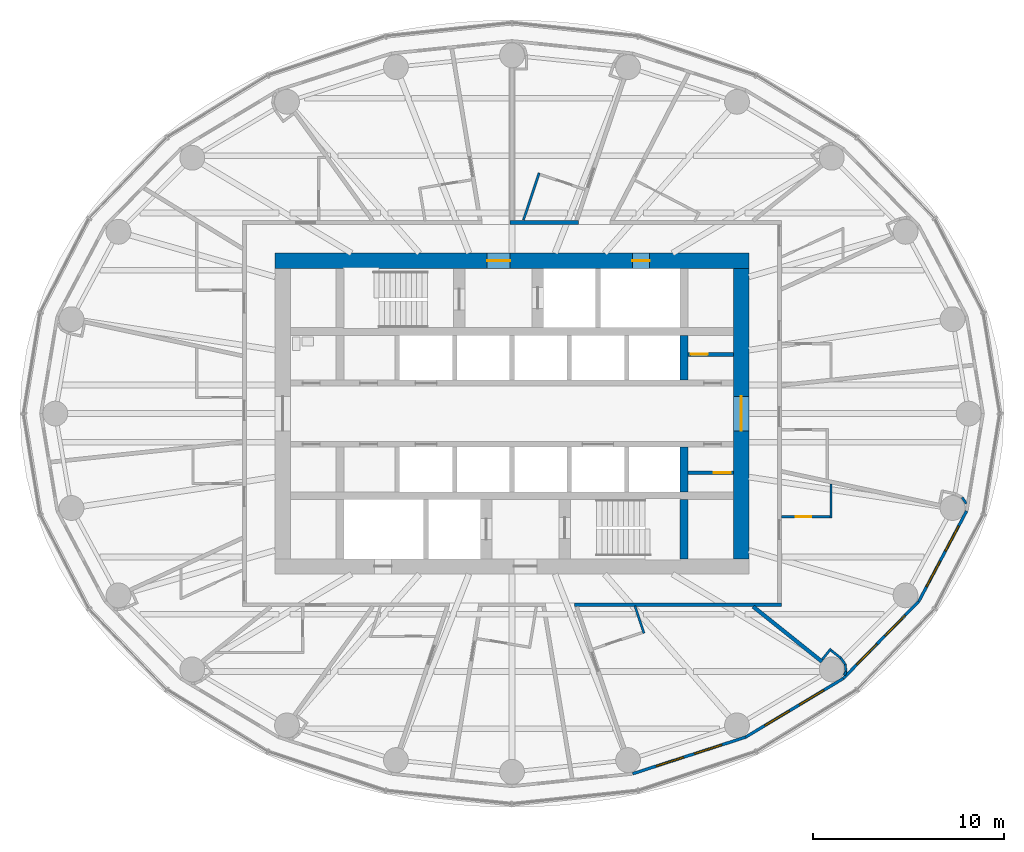
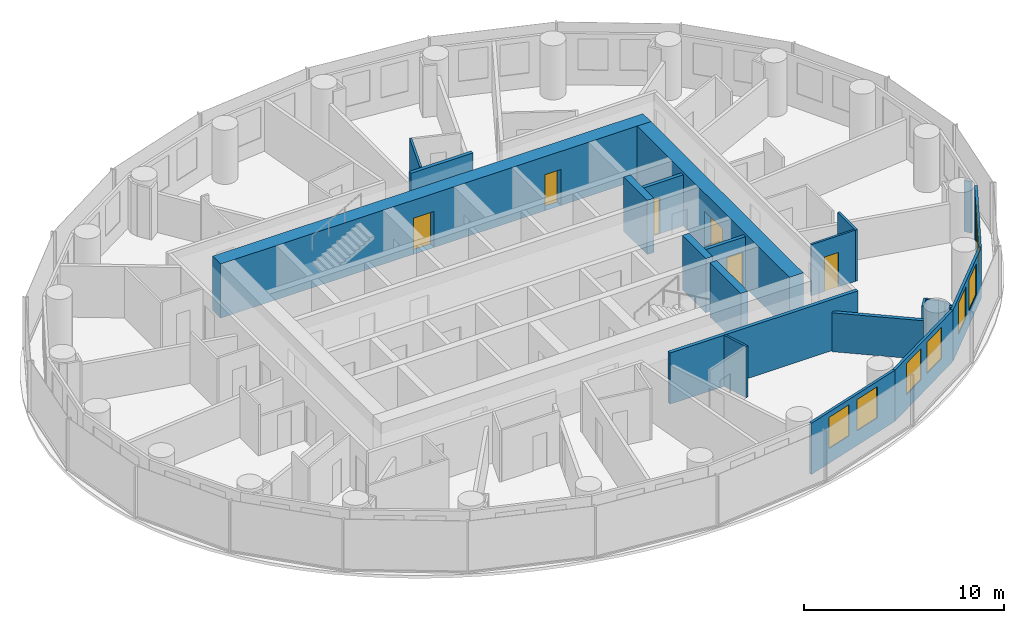
# One storey, part 9 of 14: 24 walls, 8 windows, 6 doors, 14 openings.
"""IFC4 building model written with IfcOpenShell, lengths in metres."""

from ifc_helpers import new_model, si_unit, direction, frame, frame_2d, origin, place, context, subcontext, project, spatial, rectangle, extrude, material, layer, layer_set, type_object, element, fill, save


model = new_model("IFC4")

# Units and contexts
model_context = context("Model", 3, precision=1e-05, world=origin(), true_north=direction((0.0, 1.0)))
body_context = subcontext(model_context, "Body", "Model", "MODEL_VIEW")
ifc_project = project(units=[si_unit("LENGTHUNIT", "METRE"), si_unit("AREAUNIT", "SQUARE_METRE"), si_unit("VOLUMEUNIT", "CUBIC_METRE"), si_unit("PLANEANGLEUNIT", "RADIAN"), si_unit("MASSUNIT", "GRAM", prefix="KILO")], contexts=[model_context])

# Site, building, storey
site_placement = place(None, origin())
site = spatial("IfcSite", under=ifc_project, at=site_placement, CompositionType="ELEMENT")
building_placement = place(site_placement, origin())
building = spatial("IfcBuilding", under=site, at=building_placement, Name="Hankou Lantern Tower", CompositionType="ELEMENT")
storey_placement = place(building_placement, frame((0.0, 0.0, 108.89990234375)))
storey = spatial("IfcBuildingStorey", under=building, at=storey_placement, Name="L27", CompositionType="ELEMENT", Elevation=108.89990234375)

# Wall, openings, doors
ifc_material_1 = material(Name="Concrete C60", Category="concrete")
ifc_layer_1 = layer(ifc_material_1, 0.800048828125)
ifc_layer_set_1 = layer_set([ifc_layer_1], Name="Concrete C60")
wall_type_1 = type_object("IfcWallType", Name="CW2 CORE WALL 800", PredefinedType="SHEAR", material=ifc_layer_set_1)
wall_1_placement = place(storey_placement, frame((-12.39990234375, 8.0, 0.0), z_axis=(0.0, 0.0, 1.0), x_axis=(1.0, 0.0, 0.0)))
wall_1 = element("IfcWall", 1, at=wall_1_placement, inside=storey, type_object=wall_type_1, Name="Core wall north L27", PredefinedType="SHEAR", context=body_context, shape_type="SweptSolid", body=[
    extrude(rectangle(XDim=24.7998046875, YDim=0.800048828125, at=frame_2d((12.39990234375, 0.0))), origin(), (0.0, 0.0, 1.0), 3.300048828125),
])
opening_1_placement = place(wall_1_placement, frame((11.10009765625, 0.0, 0.0)))
opening_1 = element("IfcOpeningElement", 2, at=opening_1_placement, cuts=wall_1, Name="Opening D5", PredefinedType="OPENING", context=body_context, shape_type="SweptSolid", body=[
    extrude(rectangle(XDim=1.199951171875, YDim=2.199951171875, at=frame_2d((0.60009765625, 1.10009765625))), frame((0.0, 0.409912109375, 0.0), z_axis=(0.0, -1.0, 0.0), x_axis=(1.0, 0.0, 0.0)), (0.0, 0.0, 1.0), 0.820068359375),
])
opening_2_placement = place(wall_1_placement, frame((18.699951171875, 0.0, 0.0)))
opening_2 = element("IfcOpeningElement", 3, at=opening_2_placement, cuts=wall_1, Name="Opening D7", PredefinedType="OPENING", context=body_context, shape_type="SweptSolid", body=[
    extrude(rectangle(XDim=0.89990234375, YDim=2.199951171875, at=frame_2d((0.449951171875, 1.10009765625))), frame((0.0, 0.409912109375, 0.0), z_axis=(0.0, -1.0, 0.0), x_axis=(1.0, 0.0, 0.0)), (0.0, 0.0, 1.0), 0.820068359375),
])
ifc_material_2 = material(Name="Steel door leaf", Category="steel")
door_type_1 = type_object("IfcDoorType", Name="D5 STAIR LOBBY DOOR 1200X2200", OperationType="SINGLE_SWING_LEFT", PredefinedType="DOOR", material=ifc_material_2)
door_1_placement = place(opening_1_placement, origin())
door_1 = element("IfcDoor", 4, at=door_1_placement, inside=storey, type_object=door_type_1, Name="Stair A lobby door", OperationType="SINGLE_SWING_LEFT", OverallHeight=2.199951171875, OverallWidth=1.199951171875, PredefinedType="DOOR", context=body_context, shape_type="SweptSolid", body=[
    extrude(rectangle(XDim=1.199951171875, YDim=2.199951171875, at=frame_2d((0.60009765625, 1.10009765625))), frame((0.0, 0.02490234375, 0.0), z_axis=(0.0, -1.0, 0.0), x_axis=(1.0, 0.0, 0.0)), (0.0, 0.0, 1.0), 0.050048828125),
])
fill(opening_1, door_1)
ifc_material_3 = material(Name="Steel door leaf", Category="steel")
door_type_2 = type_object("IfcDoorType", Name="D7 RISER DOOR 900X2200", OperationType="SINGLE_SWING_LEFT", PredefinedType="DOOR", material=ifc_material_3)
door_2_placement = place(opening_2_placement, origin())
door_2 = element("IfcDoor", 5, at=door_2_placement, inside=storey, type_object=door_type_2, Name="Riser N1 door", OperationType="SINGLE_SWING_RIGHT", OverallHeight=2.199951171875, OverallWidth=0.89990234375, PredefinedType="DOOR", context=body_context, shape_type="SweptSolid", body=[
    extrude(rectangle(XDim=0.89990234375, YDim=2.199951171875, at=frame_2d((0.449951171875, 1.10009765625))), frame((0.0, 0.02490234375, 0.0), z_axis=(0.0, -1.0, 0.0), x_axis=(1.0, 0.0, 0.0)), (0.0, 0.0, 1.0), 0.050048828125),
])
fill(opening_2, door_2)

# Wall, opening, door
wall_2_placement = place(storey_placement, frame((12.0, -7.60009765625, 0.0), z_axis=(0.0, 0.0, 1.0), x_axis=(0.0, 1.0, 0.0)))
wall_2 = element("IfcWall", 6, at=wall_2_placement, inside=storey, type_object=wall_type_1, Name="Core wall east L27", PredefinedType="SHEAR", context=body_context, shape_type="SweptSolid", body=[
    extrude(rectangle(XDim=15.2001953125, YDim=0.800048828125, at=frame_2d((7.60009765625, 0.0))), origin(), (0.0, 0.0, 1.0), 3.300048828125),
])
opening_3_placement = place(wall_2_placement, frame((6.699951171875, 0.0, 0.0)))
opening_3 = element("IfcOpeningElement", 7, at=opening_3_placement, cuts=wall_2, Name="Opening D6", PredefinedType="OPENING", context=body_context, shape_type="SweptSolid", body=[
    extrude(rectangle(XDim=1.800048828125, YDim=2.199951171875, at=frame_2d((0.89990234375, 1.10009765625))), frame((0.0, 0.409912109375, 0.0), z_axis=(0.0, -1.0, 0.0), x_axis=(1.0, 0.0, 0.0)), (0.0, 0.0, 1.0), 0.820068359375),
])
ifc_material_4 = material(Name="Steel door leaf", Category="steel")
door_type_3 = type_object("IfcDoorType", Name="D6 LIFT LOBBY DOOR 1800X2200", OperationType="DOUBLE_DOOR_DOUBLE_SWING", PredefinedType="DOOR", material=ifc_material_4)
door_3_placement = place(opening_3_placement, origin())
door_3 = element("IfcDoor", 8, at=door_3_placement, inside=storey, type_object=door_type_3, Name="Lift lobby east door", OperationType="DOUBLE_DOOR_DOUBLE_SWING", OverallHeight=2.199951171875, OverallWidth=1.800048828125, PredefinedType="DOOR", context=body_context, shape_type="SweptSolid", body=[
    extrude(rectangle(XDim=1.800048828125, YDim=2.199951171875, at=frame_2d((0.89990234375, 1.10009765625))), frame((0.0, 0.02490234375, 0.0), z_axis=(0.0, -1.0, 0.0), x_axis=(1.0, 0.0, 0.0)), (0.0, 0.0, 1.0), 0.050048828125),
])
fill(opening_3, door_3)

# Walls
ifc_material_5 = material(Name="Concrete C60", Category="concrete")
ifc_layer_2 = layer(ifc_material_5, 0.39990234375)
ifc_layer_set_2 = layer_set([ifc_layer_2], Name="Concrete C60")
wall_type_2 = type_object("IfcWallType", Name="CW4 CORE CROSS WALL 400", PredefinedType="SHEAR", material=ifc_layer_set_2)
for number, where, z_axis, x_axis, name in (
    (9, (9.0, 1.75, 0.0), (0.0, 0.0, 1.0), (0.0, 1.0, 0.0), "Core strip wall L27"),
    (10, (9.0, -4.10009765625, 0.0), (0.0, 0.0, 1.0), (0.0, 1.0, 0.0), "Core strip wall L27"),
):
    element("IfcWall", number, at=place(storey_placement, frame(where, z_axis=z_axis, x_axis=x_axis)), inside=storey, type_object=wall_type_2, Name=name, PredefinedType="SHEAR", context=body_context, shape_type="SweptSolid", body=[
        extrude(rectangle(XDim=2.35009765625, YDim=0.39990234375, at=frame_2d((1.175048828125, 0.0))), origin(), (0.0, 0.0, 1.0), 3.300048828125),
    ])
wall_3_placement = place(storey_placement, frame((9.0, -7.60009765625, 0.0), z_axis=(0.0, 0.0, 1.0), x_axis=(0.0, 1.0, 0.0)))
element("IfcWall", 11, at=wall_3_placement, inside=storey, type_object=wall_type_2, Name="Core strip wall L27", PredefinedType="SHEAR", context=body_context, shape_type="SweptSolid", body=[
    extrude(rectangle(XDim=3.10009765625, YDim=0.39990234375, at=frame_2d((1.550048828125, 0.0))), origin(), (0.0, 0.0, 1.0), 3.300048828125),
])

# Wall, openings, windows
ifc_material_6 = material(Name="Aluminium spandrel panel on steel studs", Category="steel")
ifc_layer_3 = layer(ifc_material_6, 0.14990234375)
ifc_layer_set_3 = layer_set([ifc_layer_3], Name="Aluminium spandrel panel on steel studs")
wall_type_3 = type_object("IfcWallType", Name="EW1 INNER SKIN WALL 150", PredefinedType="ELEMENTEDWALL", material=ifc_layer_set_3)
wall_4_placement = place(storey_placement, frame((6.3134765625, -18.849609375, 0.0), z_axis=(0.0, 0.0, 1.0), x_axis=(0.951272691506, 0.308350881944, 0.0)))
wall_4 = element("IfcWall", 12, at=wall_4_placement, inside=storey, type_object=wall_type_3, Name="Inner skin R20-R21 L27", PredefinedType="ELEMENTEDWALL", context=body_context, shape_type="SweptSolid", body=[
    extrude(rectangle(XDim=6.210693359375, YDim=0.14990234375, at=frame_2d((3.10546875, 0.0))), origin(), (0.0, 0.0, 1.0), 3.1201171875),
])
opening_4_placement = place(wall_4_placement, frame((1.305419921875, 0.0, 0.89990234375)))
opening_4 = element("IfcOpeningElement", 13, at=opening_4_placement, cuts=wall_4, Name="Opening W2", PredefinedType="OPENING", context=body_context, shape_type="SweptSolid", body=[
    extrude(rectangle(XDim=1.5, YDim=1.89990234375, at=frame_2d((0.75, 0.949951171875))), frame((0.0, 0.0849609375, 0.0), z_axis=(0.0, -1.0, 0.0), x_axis=(1.0, 0.0, 0.0)), (0.0, 0.0, 1.0), 0.169921875),
])
opening_5_placement = place(wall_4_placement, frame((3.4052734375, 0.0, 0.89990234375)))
opening_5 = element("IfcOpeningElement", 14, at=opening_5_placement, cuts=wall_4, Name="Opening W2", PredefinedType="OPENING", context=body_context, shape_type="SweptSolid", body=[
    extrude(rectangle(XDim=1.5, YDim=1.89990234375, at=frame_2d((0.75, 0.949951171875))), frame((0.0, 0.0849609375, 0.0), z_axis=(0.0, -1.0, 0.0), x_axis=(1.0, 0.0, 0.0)), (0.0, 0.0, 1.0), 0.169921875),
])
ifc_material_7 = material(Name="Aluminium framed double glazed window", Category="aluminium")
window_type = type_object("IfcWindowType", Name="W2 GUEST ROOM WINDOW 1500X1900", PartitioningType="DOUBLE_PANEL_VERTICAL", PredefinedType="WINDOW", material=ifc_material_7)
window_1_placement = place(opening_4_placement, origin())
window_1 = element("IfcWindow", 15, at=window_1_placement, inside=storey, type_object=window_type, Name="Window R20.1 L27", OverallHeight=1.89990234375, OverallWidth=1.5, PartitioningType="SINGLE_PANEL", PredefinedType="WINDOW", context=body_context, shape_type="SweptSolid", body=[
    extrude(rectangle(XDim=1.5, YDim=1.89990234375, at=frame_2d((0.75, 0.949951171875))), frame((0.0, 0.030029296875, 0.0), z_axis=(0.0, -1.0, 0.0), x_axis=(1.0, 0.0, 0.0)), (0.0, 0.0, 1.0), 0.06005859375),
])
fill(opening_4, window_1)
window_2_placement = place(opening_5_placement, origin())
window_2 = element("IfcWindow", 16, at=window_2_placement, inside=storey, type_object=window_type, Name="Window R20.2 L27", OverallHeight=1.89990234375, OverallWidth=1.5, PartitioningType="SINGLE_PANEL", PredefinedType="WINDOW", context=body_context, shape_type="SweptSolid", body=[
    extrude(rectangle(XDim=1.5, YDim=1.89990234375, at=frame_2d((0.75, 0.949951171875))), frame((0.0, 0.030029296875, 0.0), z_axis=(0.0, -1.0, 0.0), x_axis=(1.0, 0.0, 0.0)), (0.0, 0.0, 1.0), 0.06005859375),
])
fill(opening_5, window_2)

wall_5_placement = place(storey_placement, frame((12.221435546875, -16.9345703125, 0.0), z_axis=(0.0, 0.0, 1.0), x_axis=(0.857308573723, 0.514802884044, 0.0)))
wall_5 = element("IfcWall", 17, at=wall_5_placement, inside=storey, type_object=wall_type_3, Name="Inner skin R21-R22 L27", PredefinedType="ELEMENTEDWALL", context=body_context, shape_type="SweptSolid", body=[
    extrude(rectangle(XDim=5.961181640625, YDim=0.14990234375, at=frame_2d((2.98046875, 0.0))), origin(), (0.0, 0.0, 1.0), 3.1201171875),
])
opening_6_placement = place(wall_5_placement, frame((1.1806640625, 0.0, 0.89990234375)))
opening_6 = element("IfcOpeningElement", 18, at=opening_6_placement, cuts=wall_5, Name="Opening W2", PredefinedType="OPENING", context=body_context, shape_type="SweptSolid", body=[
    extrude(rectangle(XDim=1.5, YDim=1.89990234375, at=frame_2d((0.75, 0.949951171875))), frame((0.0, 0.0849609375, 0.0), z_axis=(0.0, -1.0, 0.0), x_axis=(1.0, 0.0, 0.0)), (0.0, 0.0, 1.0), 0.169921875),
])
opening_7_placement = place(wall_5_placement, frame((3.280517578125, 0.0, 0.89990234375)))
opening_7 = element("IfcOpeningElement", 19, at=opening_7_placement, cuts=wall_5, Name="Opening W2", PredefinedType="OPENING", context=body_context, shape_type="SweptSolid", body=[
    extrude(rectangle(XDim=1.5, YDim=1.89990234375, at=frame_2d((0.75, 0.949951171875))), frame((0.0, 0.0849609375, 0.0), z_axis=(0.0, -1.0, 0.0), x_axis=(1.0, 0.0, 0.0)), (0.0, 0.0, 1.0), 0.169921875),
])
window_3_placement = place(opening_6_placement, origin())
window_3 = element("IfcWindow", 20, at=window_3_placement, inside=storey, type_object=window_type, Name="Window R21.1 L27", OverallHeight=1.89990234375, OverallWidth=1.5, PartitioningType="SINGLE_PANEL", PredefinedType="WINDOW", context=body_context, shape_type="SweptSolid", body=[
    extrude(rectangle(XDim=1.5, YDim=1.89990234375, at=frame_2d((0.75, 0.949951171875))), frame((0.0, 0.030029296875, 0.0), z_axis=(0.0, -1.0, 0.0), x_axis=(1.0, 0.0, 0.0)), (0.0, 0.0, 1.0), 0.06005859375),
])
fill(opening_6, window_3)
window_4_placement = place(opening_7_placement, origin())
window_4 = element("IfcWindow", 21, at=window_4_placement, inside=storey, type_object=window_type, Name="Window R21.2 L27", OverallHeight=1.89990234375, OverallWidth=1.5, PartitioningType="SINGLE_PANEL", PredefinedType="WINDOW", context=body_context, shape_type="SweptSolid", body=[
    extrude(rectangle(XDim=1.5, YDim=1.89990234375, at=frame_2d((0.75, 0.949951171875))), frame((0.0, 0.030029296875, 0.0), z_axis=(0.0, -1.0, 0.0), x_axis=(1.0, 0.0, 0.0)), (0.0, 0.0, 1.0), 0.06005859375),
])
fill(opening_7, window_4)

wall_6_placement = place(storey_placement, frame((17.33203125, -13.86572265625, 0.0), z_axis=(0.0, 0.0, 1.0), x_axis=(0.700136650834, 0.714008872605, 0.0)))
wall_6 = element("IfcWall", 22, at=wall_6_placement, inside=storey, type_object=wall_type_3, Name="Inner skin R22-R23 L27", PredefinedType="ELEMENTEDWALL", context=body_context, shape_type="SweptSolid", body=[
    extrude(rectangle(XDim=5.6494140625, YDim=0.14990234375, at=frame_2d((2.82470703125, 0.0))), origin(), (0.0, 0.0, 1.0), 3.1201171875),
])
opening_8_placement = place(wall_6_placement, frame((1.024658203125, 0.0, 0.89990234375)))
opening_8 = element("IfcOpeningElement", 23, at=opening_8_placement, cuts=wall_6, Name="Opening W2", PredefinedType="OPENING", context=body_context, shape_type="SweptSolid", body=[
    extrude(rectangle(XDim=1.5, YDim=1.89990234375, at=frame_2d((0.75, 0.949951171875))), frame((0.0, 0.0849609375, 0.0), z_axis=(0.0, -1.0, 0.0), x_axis=(1.0, 0.0, 0.0)), (0.0, 0.0, 1.0), 0.169921875),
])
opening_9_placement = place(wall_6_placement, frame((3.12451171875, 0.0, 0.89990234375)))
opening_9 = element("IfcOpeningElement", 24, at=opening_9_placement, cuts=wall_6, Name="Opening W2", PredefinedType="OPENING", context=body_context, shape_type="SweptSolid", body=[
    extrude(rectangle(XDim=1.5, YDim=1.89990234375, at=frame_2d((0.75, 0.949951171875))), frame((0.0, 0.0849609375, 0.0), z_axis=(0.0, -1.0, 0.0), x_axis=(1.0, 0.0, 0.0)), (0.0, 0.0, 1.0), 0.169921875),
])
window_5_placement = place(opening_8_placement, origin())
window_5 = element("IfcWindow", 25, at=window_5_placement, inside=storey, type_object=window_type, Name="Window R22.1 L27", OverallHeight=1.89990234375, OverallWidth=1.5, PartitioningType="SINGLE_PANEL", PredefinedType="WINDOW", context=body_context, shape_type="SweptSolid", body=[
    extrude(rectangle(XDim=1.5, YDim=1.89990234375, at=frame_2d((0.75, 0.949951171875))), frame((0.0, 0.030029296875, 0.0), z_axis=(0.0, -1.0, 0.0), x_axis=(1.0, 0.0, 0.0)), (0.0, 0.0, 1.0), 0.06005859375),
])
fill(opening_8, window_5)
window_6_placement = place(opening_9_placement, origin())
window_6 = element("IfcWindow", 26, at=window_6_placement, inside=storey, type_object=window_type, Name="Window R22.2 L27", OverallHeight=1.89990234375, OverallWidth=1.5, PartitioningType="SINGLE_PANEL", PredefinedType="WINDOW", context=body_context, shape_type="SweptSolid", body=[
    extrude(rectangle(XDim=1.5, YDim=1.89990234375, at=frame_2d((0.75, 0.949951171875))), frame((0.0, 0.030029296875, 0.0), z_axis=(0.0, -1.0, 0.0), x_axis=(1.0, 0.0, 0.0)), (0.0, 0.0, 1.0), 0.06005859375),
])
fill(opening_9, window_6)

wall_7_placement = place(storey_placement, frame((21.287353515625, -9.83203125, 0.0), z_axis=(0.0, 0.0, 1.0), x_axis=(0.467814388454, 0.883826735257, 0.0)))
wall_7 = element("IfcWall", 27, at=wall_7_placement, inside=storey, type_object=wall_type_3, Name="Inner skin R23-R24 L27", PredefinedType="ELEMENTEDWALL", context=body_context, shape_type="SweptSolid", body=[
    extrude(rectangle(XDim=5.35400390625, YDim=0.14990234375, at=frame_2d((2.677001953125, 0.0))), origin(), (0.0, 0.0, 1.0), 3.1201171875),
])
opening_10_placement = place(wall_7_placement, frame((0.876953125, 0.0, 0.89990234375)))
opening_10 = element("IfcOpeningElement", 28, at=opening_10_placement, cuts=wall_7, Name="Opening W2", PredefinedType="OPENING", context=body_context, shape_type="SweptSolid", body=[
    extrude(rectangle(XDim=1.5, YDim=1.89990234375, at=frame_2d((0.75, 0.949951171875))), frame((0.0, 0.0849609375, 0.0), z_axis=(0.0, -1.0, 0.0), x_axis=(1.0, 0.0, 0.0)), (0.0, 0.0, 1.0), 0.169921875),
])
opening_11_placement = place(wall_7_placement, frame((2.97705078125, 0.0, 0.89990234375)))
opening_11 = element("IfcOpeningElement", 29, at=opening_11_placement, cuts=wall_7, Name="Opening W2", PredefinedType="OPENING", context=body_context, shape_type="SweptSolid", body=[
    extrude(rectangle(XDim=1.5, YDim=1.89990234375, at=frame_2d((0.75, 0.949951171875))), frame((0.0, 0.0849609375, 0.0), z_axis=(0.0, -1.0, 0.0), x_axis=(1.0, 0.0, 0.0)), (0.0, 0.0, 1.0), 0.169921875),
])
window_7_placement = place(opening_10_placement, origin())
window_7 = element("IfcWindow", 30, at=window_7_placement, inside=storey, type_object=window_type, Name="Window R23.1 L27", OverallHeight=1.89990234375, OverallWidth=1.5, PartitioningType="SINGLE_PANEL", PredefinedType="WINDOW", context=body_context, shape_type="SweptSolid", body=[
    extrude(rectangle(XDim=1.5, YDim=1.89990234375, at=frame_2d((0.75, 0.949951171875))), frame((0.0, 0.030029296875, 0.0), z_axis=(0.0, -1.0, 0.0), x_axis=(1.0, 0.0, 0.0)), (0.0, 0.0, 1.0), 0.06005859375),
])
fill(opening_10, window_7)
window_8_placement = place(opening_11_placement, origin())
window_8 = element("IfcWindow", 31, at=window_8_placement, inside=storey, type_object=window_type, Name="Window R23.2 L27", OverallHeight=1.89990234375, OverallWidth=1.5, PartitioningType="SINGLE_PANEL", PredefinedType="WINDOW", context=body_context, shape_type="SweptSolid", body=[
    extrude(rectangle(XDim=1.5, YDim=1.89990234375, at=frame_2d((0.75, 0.949951171875))), frame((0.0, 0.030029296875, 0.0), z_axis=(0.0, -1.0, 0.0), x_axis=(1.0, 0.0, 0.0)), (0.0, 0.0, 1.0), 0.06005859375),
])
fill(opening_11, window_8)

# Walls
ifc_material_8 = material(Name="Masonry lightweight concrete block", Category="masonry")
ifc_layer_4 = layer(ifc_material_8, 0.199951171875)
ifc_layer_set_4 = layer_set([ifc_layer_4], Name="Masonry lightweight concrete block")
wall_type_4 = type_object("IfcWallType", Name="IW1 GUEST ROOM PARTY WALL 200", PredefinedType="PARTITIONING", material=ifc_layer_set_4)
wall_8_placement = place(storey_placement, frame((12.625, -10.10009765625, 0.0), z_axis=(0.0, 0.0, 1.0), x_axis=(0.780863644897, -0.624701503182, 0.0)))
element("IfcWall", 32, at=wall_8_placement, inside=storey, type_object=wall_type_4, Name="Party wall R22", PredefinedType="PARTITIONING", context=body_context, shape_type="SweptSolid", body=[
    extrude(rectangle(XDim=4.612060546875, YDim=0.199951171875, at=frame_2d((2.30615234375, 0.0))), origin(), (0.0, 0.0, 1.0), 2.3701171875),
])
ifc_material_9 = material(Name="Masonry lightweight concrete block", Category="masonry")
ifc_layer_5 = layer(ifc_material_9, 0.199951171875)
ifc_layer_set_5 = layer_set([ifc_layer_5], Name="Masonry lightweight concrete block")
wall_type_5 = type_object("IfcWallType", Name="IW2 CORRIDOR WALL 200", PredefinedType="PARTITIONING", material=ifc_layer_set_5)
wall_9_placement = place(storey_placement, frame((14.10009765625, -10.0, 0.0), z_axis=(0.0, 0.0, 1.0), x_axis=(-1.0, 0.0, 0.0)))
element("IfcWall", 33, at=wall_9_placement, inside=storey, type_object=wall_type_5, Name="Corridor wall south", PredefinedType="PARTITIONING", context=body_context, shape_type="SweptSolid", body=[
    extrude(rectangle(XDim=10.817138671875, YDim=0.199951171875, at=frame_2d((5.40869140625, 0.0))), origin(), (0.0, 0.0, 1.0), 3.1201171875),
])
wall_10_placement = place(storey_placement, frame((-0.10009765625, 10.0, 0.0), z_axis=(0.0, 0.0, 1.0), x_axis=(1.0, 0.0, 0.0)))
element("IfcWall", 34, at=wall_10_placement, inside=storey, type_object=wall_type_5, Name="Corridor wall north", PredefinedType="PARTITIONING", context=body_context, shape_type="SweptSolid", body=[
    extrude(rectangle(XDim=3.5830078125, YDim=0.199951171875, at=frame_2d((1.79150390625, 0.0))), origin(), (0.0, 0.0, 1.0), 3.1201171875),
])
ifc_material_10 = material(Name="Masonry lightweight concrete block", Category="masonry")
ifc_layer_6 = layer(ifc_material_10, 0.1201171875)
ifc_layer_set_6 = layer_set([ifc_layer_6], Name="Masonry lightweight concrete block")
wall_type_6 = type_object("IfcWallType", Name="IW3 BATHROOM WALL 120", PredefinedType="PARTITIONING", material=ifc_layer_set_6)
wall_11_placement = place(storey_placement, frame((0.598876953125, 10.1318359375, 0.0), z_axis=(0.0, 0.0, 1.0), x_axis=(0.317554522053, 0.948240014724, 0.0)))
element("IfcWall", 35, at=wall_11_placement, inside=storey, type_object=wall_type_6, Name="Box wall 2702 1", PredefinedType="PARTITIONING", context=body_context, shape_type="SweptSolid", body=[
    extrude(rectangle(XDim=2.593994140625, YDim=0.1201171875, at=frame_2d((1.296875, 0.0))), origin(), (0.0, 0.0, 1.0), 3.1201171875),
])
wall_12_placement = place(storey_placement, frame((6.4306640625, -10.068359375, 0.0), z_axis=(0.0, 0.0, 1.0), x_axis=(0.317592729703, -0.948227218571, 0.0)))
element("IfcWall", 36, at=wall_12_placement, inside=storey, type_object=wall_type_6, Name="Box wall 2715 1", PredefinedType="PARTITIONING", context=body_context, shape_type="SweptSolid", body=[
    extrude(rectangle(XDim=1.502197265625, YDim=0.1201171875, at=frame_2d((0.7509765625, 0.0))), origin(), (0.0, 0.0, 1.0), 3.1201171875),
])
wall_13_placement = place(storey_placement, frame((16.699951171875, -3.6796875, 0.0), z_axis=(0.0, 0.0, 1.0), x_axis=(0.0, -1.0, 0.0)))
element("IfcWall", 37, at=wall_13_placement, inside=storey, type_object=wall_type_6, Name="Box wall 2716 1", PredefinedType="PARTITIONING", context=body_context, shape_type="SweptSolid", body=[
    extrude(rectangle(XDim=1.78271484375, YDim=0.1201171875, at=frame_2d((0.891357421875, 0.0))), origin(), (0.0, 0.0, 1.0), 3.1201171875),
])

# Wall, opening, door
wall_14_placement = place(storey_placement, frame((14.10009765625, -5.402587890625, 0.0), z_axis=(0.0, 0.0, 1.0), x_axis=(1.0, 0.0, 0.0)))
wall_14 = element("IfcWall", 38, at=wall_14_placement, inside=storey, type_object=wall_type_6, Name="Box wall 2716 1", PredefinedType="PARTITIONING", context=body_context, shape_type="SweptSolid", body=[
    extrude(rectangle(XDim=2.539794921875, YDim=0.1201171875, at=frame_2d((1.27001953125, 0.0))), origin(), (0.0, 0.0, 1.0), 3.1201171875),
])
opening_12_placement = place(wall_14_placement, frame((0.75, 0.0, 0.0)))
opening_12 = element("IfcOpeningElement", 39, at=opening_12_placement, cuts=wall_14, Name="Opening D3", PredefinedType="OPENING", context=body_context, shape_type="SweptSolid", body=[
    extrude(rectangle(XDim=0.800048828125, YDim=2.10009765625, at=frame_2d((0.39990234375, 1.050048828125))), frame((0.0, 0.070068359375, 0.0), z_axis=(0.0, -1.0, 0.0), x_axis=(1.0, 0.0, 0.0)), (0.0, 0.0, 1.0), 0.14013671875),
])
ifc_material_11 = material(Name="Timber door leaf", Category="wood")
door_type_4 = type_object("IfcDoorType", Name="D3 BATHROOM DOOR 800X2100", OperationType="SINGLE_SWING_LEFT", PredefinedType="DOOR", material=ifc_material_11)
door_4_placement = place(opening_12_placement, origin())
door_4 = element("IfcDoor", 40, at=door_4_placement, inside=storey, type_object=door_type_4, Name="Junior suite 2716 bathroom door", OperationType="SINGLE_SWING_LEFT", OverallHeight=2.10009765625, OverallWidth=0.800048828125, PredefinedType="DOOR", context=body_context, shape_type="SweptSolid", body=[
    extrude(rectangle(XDim=0.800048828125, YDim=2.10009765625, at=frame_2d((0.39990234375, 1.050048828125))), frame((0.0, 0.02490234375, 0.0), z_axis=(0.0, -1.0, 0.0), x_axis=(1.0, 0.0, 0.0)), (0.0, 0.0, 1.0), 0.050048828125),
])
fill(opening_12, door_4)

# Walls
ifc_material_12 = material(Name="Masonry lightweight concrete block", Category="masonry")
ifc_layer_7 = layer(ifc_material_12, 0.1201171875)
ifc_layer_set_7 = layer_set([ifc_layer_7], Name="Masonry lightweight concrete block")
wall_type_7 = type_object("IfcWallType", Name="IW4 PARTITION 120", PredefinedType="PARTITIONING", material=ifc_layer_set_7)
wall_15_placement = place(storey_placement, frame((16.241943359375, -12.865478515625, 0.0), z_axis=(0.0, 0.0, 1.0), x_axis=(0.624861414622, 0.780735686719, 0.0)))
element("IfcWall", 41, at=wall_15_placement, inside=storey, type_object=wall_type_7, Name="Column casing R22 return", PredefinedType="PARTITIONING", context=body_context, shape_type="SweptSolid", body=[
    extrude(rectangle(XDim=0.7158203125, YDim=0.1201171875, at=frame_2d((0.35791015625, 0.0))), origin(), (0.0, 0.0, 1.0), 3.1201171875),
])
wall_16_placement = place(storey_placement, frame((16.698486328125, -12.390869140625, 0.0), z_axis=(0.0, 0.0, 1.0), x_axis=(0.780722240533, -0.624878214645, 0.0)))
element("IfcWall", 42, at=wall_16_placement, inside=storey, type_object=wall_type_7, Name="Column casing R22", PredefinedType="PARTITIONING", context=body_context, shape_type="SweptSolid", body=[
    extrude(rectangle(XDim=0.650146484375, YDim=0.1201171875, at=frame_2d((0.3251953125, 0.0))), origin(), (0.0, 0.0, 1.0), 3.1201171875),
])
wall_17_placement = place(storey_placement, frame((17.2060546875, -12.797119140625, 0.0), z_axis=(0.0, 0.0, 1.0), x_axis=(0.592986095904, -0.805212698648, 0.0)))
element("IfcWall", 43, at=wall_17_placement, inside=storey, type_object=wall_type_7, Name="Column casing R22", PredefinedType="PARTITIONING", context=body_context, shape_type="SweptSolid", body=[
    extrude(rectangle(XDim=0.39111328125, YDim=0.1201171875, at=frame_2d((0.195556640625, 0.0))), origin(), (0.0, 0.0, 1.0), 3.1201171875),
])
wall_18_placement = place(storey_placement, frame((17.43798828125, -13.112060546875, 0.0), z_axis=(0.0, 0.0, 1.0), x_axis=(0.109815164188, -0.993952025862, 0.0)))
element("IfcWall", 44, at=wall_18_placement, inside=storey, type_object=wall_type_7, Name="Column casing R22", PredefinedType="PARTITIONING", context=body_context, shape_type="SweptSolid", body=[
    extrude(rectangle(XDim=0.391357421875, YDim=0.1201171875, at=frame_2d((0.19580078125, 0.0))), origin(), (0.0, 0.0, 1.0), 3.1201171875),
])
wall_19_placement = place(storey_placement, frame((17.48095703125, -13.5009765625, 0.0), z_axis=(0.0, 0.0, 1.0), x_axis=(-0.401504188288, -0.915857186895, 0.0)))
element("IfcWall", 45, at=wall_19_placement, inside=storey, type_object=wall_type_7, Name="Column casing R22", PredefinedType="PARTITIONING", context=body_context, shape_type="SweptSolid", body=[
    extrude(rectangle(XDim=0.20556640625, YDim=0.1201171875, at=frame_2d((0.102783203125, 0.0))), origin(), (0.0, 0.0, 1.0), 3.1201171875),
])
wall_20_placement = place(storey_placement, frame((23.5615234375, -4.38134765625, 0.0), z_axis=(0.0, 0.0, 1.0), x_axis=(0.543121848217, -0.839653891784, 0.0)))
element("IfcWall", 46, at=wall_20_placement, inside=storey, type_object=wall_type_7, Name="Column casing R24", PredefinedType="PARTITIONING", context=body_context, shape_type="SweptSolid", body=[
    extrude(rectangle(XDim=0.39111328125, YDim=0.1201171875, at=frame_2d((0.195556640625, 0.0))), origin(), (0.0, 0.0, 1.0), 3.1201171875),
])

# Wall, opening, door
ifc_material_13 = material(Name="Masonry lightweight concrete block", Category="masonry")
ifc_layer_8 = layer(ifc_material_13, 0.199951171875)
ifc_layer_set_8 = layer_set([ifc_layer_8], Name="Masonry lightweight concrete block")
wall_type_8 = type_object("IfcWallType", Name="IW8 PARTITION 200", PredefinedType="PARTITIONING", material=ifc_layer_set_8)
wall_21_placement = place(storey_placement, frame((9.199951171875, 3.10009765625, 0.0), z_axis=(0.0, 0.0, 1.0), x_axis=(1.0, 0.0, 0.0)))
wall_21 = element("IfcWall", 47, at=wall_21_placement, inside=storey, type_object=wall_type_8, Name="Partition it and telecoms room", PredefinedType="PARTITIONING", context=body_context, shape_type="SweptSolid", body=[
    extrude(rectangle(XDim=2.400146484375, YDim=0.199951171875, at=frame_2d((1.2001953125, 0.0))), origin(), (0.0, 0.0, 1.0), 3.1201171875),
])
opening_13_placement = place(wall_21_placement, frame((0.14990234375, 0.0, 0.0)))
opening_13 = element("IfcOpeningElement", 48, at=opening_13_placement, cuts=wall_21, Name="Opening D12", PredefinedType="OPENING", context=body_context, shape_type="SweptSolid", body=[
    extrude(rectangle(XDim=0.89990234375, YDim=2.199951171875, at=frame_2d((0.449951171875, 1.10009765625))), frame((0.0, 0.10986328125, 0.0), z_axis=(0.0, -1.0, 0.0), x_axis=(1.0, 0.0, 0.0)), (0.0, 0.0, 1.0), 0.219970703125),
])
ifc_material_14 = material(Name="Steel door leaf", Category="steel")
door_type_5 = type_object("IfcDoorType", Name="D12 STORE DOOR 900X2200", OperationType="SINGLE_SWING_LEFT", PredefinedType="DOOR", material=ifc_material_14)
door_5_placement = place(opening_13_placement, origin())
door_5 = element("IfcDoor", 49, at=door_5_placement, inside=storey, type_object=door_type_5, Name="Comms cupboard door", OperationType="SINGLE_SWING_LEFT", OverallHeight=2.199951171875, OverallWidth=0.89990234375, PredefinedType="DOOR", context=body_context, shape_type="SweptSolid", body=[
    extrude(rectangle(XDim=0.89990234375, YDim=2.199951171875, at=frame_2d((0.449951171875, 1.10009765625))), frame((0.0, 0.02490234375, 0.0), z_axis=(0.0, -1.0, 0.0), x_axis=(1.0, 0.0, 0.0)), (0.0, 0.0, 1.0), 0.050048828125),
])
fill(opening_13, door_5)

wall_22_placement = place(storey_placement, frame((9.199951171875, -3.10009765625, 0.0), z_axis=(0.0, 0.0, 1.0), x_axis=(1.0, 0.0, 0.0)))
wall_22 = element("IfcWall", 50, at=wall_22_placement, inside=storey, type_object=wall_type_8, Name="Partition minibar store", PredefinedType="PARTITIONING", context=body_context, shape_type="SweptSolid", body=[
    extrude(rectangle(XDim=2.400146484375, YDim=0.199951171875, at=frame_2d((1.2001953125, 0.0))), origin(), (0.0, 0.0, 1.0), 3.1201171875),
])
opening_14_placement = place(wall_22_placement, frame((1.35009765625, 0.0, 0.0)))
opening_14 = element("IfcOpeningElement", 51, at=opening_14_placement, cuts=wall_22, Name="Opening D12", PredefinedType="OPENING", context=body_context, shape_type="SweptSolid", body=[
    extrude(rectangle(XDim=0.89990234375, YDim=2.199951171875, at=frame_2d((0.449951171875, 1.10009765625))), frame((0.0, 0.10986328125, 0.0), z_axis=(0.0, -1.0, 0.0), x_axis=(1.0, 0.0, 0.0)), (0.0, 0.0, 1.0), 0.219970703125),
])
door_6_placement = place(opening_14_placement, origin())
door_6 = element("IfcDoor", 52, at=door_6_placement, inside=storey, type_object=door_type_5, Name="Minibar stock cupboard door", OperationType="SINGLE_SWING_RIGHT", OverallHeight=2.199951171875, OverallWidth=0.89990234375, PredefinedType="DOOR", context=body_context, shape_type="SweptSolid", body=[
    extrude(rectangle(XDim=0.89990234375, YDim=2.199951171875, at=frame_2d((0.449951171875, 1.10009765625))), frame((0.0, 0.02490234375, 0.0), z_axis=(0.0, -1.0, 0.0), x_axis=(1.0, 0.0, 0.0)), (0.0, 0.0, 1.0), 0.050048828125),
])
fill(opening_14, door_6)

save(model, "model.ifc")
